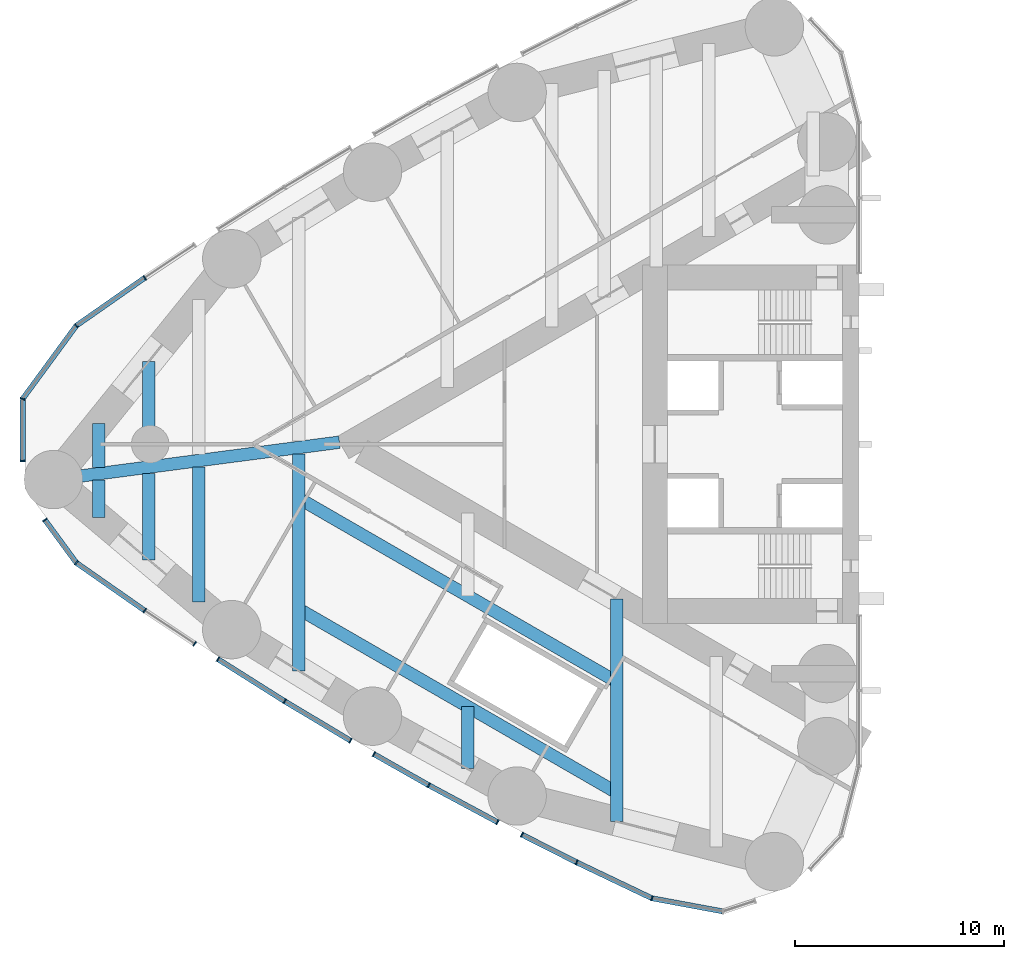
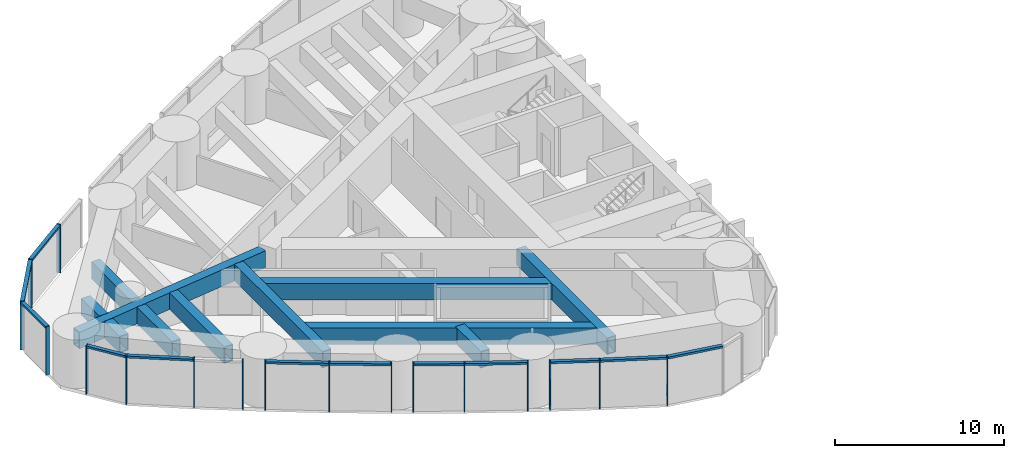
# One storey, part 2 of 17: 29 members, 11 beams, 5 elements without a shape of their own.
"""IFC4 building model written with IfcOpenShell, lengths in metres."""

from ifc_helpers import new_model, si_unit, direction, frame, origin, origin_2d, place, context, subcontext, project, spatial, rectangle, hollow_rectangle, extrude, material, material_profile, profile_set, type_object, element, aggregate, save


model = new_model("IFC4")

# Units and contexts
model_context = context("Model", 3, precision=1e-05, world=origin(), true_north=direction((0.0, 1.0)))
body_context = subcontext(model_context, "Body", "Model", "MODEL_VIEW")
ifc_project = project(units=[si_unit("LENGTHUNIT", "METRE"), si_unit("AREAUNIT", "SQUARE_METRE"), si_unit("VOLUMEUNIT", "CUBIC_METRE"), si_unit("PLANEANGLEUNIT", "RADIAN"), si_unit("MASSUNIT", "GRAM", prefix="KILO")], contexts=[model_context])

# Site, building, storey
site_placement = place(None, origin())
site = spatial("IfcSite", under=ifc_project, at=site_placement, CompositionType="ELEMENT")
building_placement = place(site_placement, origin())
building = spatial("IfcBuilding", under=site, at=building_placement, Name="Lancet Gate Hotel", CompositionType="ELEMENT")
storey_placement = place(building_placement, frame((0.0, 0.0, 201.800048828125)))
storey = spatial("IfcBuildingStorey", under=building, at=storey_placement, Name="L54", CompositionType="ELEMENT", Elevation=201.800048828125)

# Curtain wall, members
ifc_material_1 = material(Name="Aluminium curtain wall", Category="aluminium")
curtain_wall_type = type_object("IfcCurtainWallType", Name="Tower unitised curtain wall", PredefinedType="USERDEFINED", material=ifc_material_1)
curtain_wall_1_placement = place(storey_placement, origin())
curtain_wall_1 = element("IfcCurtainWall", 1, at=curtain_wall_1_placement, inside=storey, type_object=curtain_wall_type, Name="T1 L54 curtain wall 5", ObjectType="UNITISED CURTAIN WALL", PredefinedType="USERDEFINED")
ifc_material_2 = material(Name="Aluminium mullion", Category="aluminium")
ifc_material_profile_1 = material_profile(ifc_material_2, rectangle(XDim=0.06494140625, YDim=0.25, at=origin_2d()), Name="MULLION 65x250")
ifc_profile_set_1 = profile_set([ifc_material_profile_1], Name="Aluminium mullion")
member_type_1 = type_object("IfcMemberType", Name="Aluminium mullion 65x250", PredefinedType="MULLION", material=ifc_profile_set_1)
member_1_placement = place(storey_placement, frame((-61.7626953125, 7.980712890625, 0.0), z_axis=(0.0, 0.0, 1.0), x_axis=(-0.825232844687, -0.564792662886, 0.0)))
member_1 = element("IfcMember", 2, at=member_1_placement, type_object=member_type_1, Name="T1 L54 curtain wall 5 mullion 2", PredefinedType="MULLION", context=body_context, shape_type="SweptSolid", body=[
    extrude(rectangle(XDim=0.06494140625, YDim=0.25, at=origin_2d()), origin(), (0.0, 0.0, 1.0), 3.5),
])
member_2_placement = place(storey_placement, frame((-65.040283203125, 5.68994140625, 0.0), z_axis=(0.0, 0.0, 1.0), x_axis=(-0.710112861968, -0.704087866155, 0.0)))
member_2 = element("IfcMember", 3, at=member_2_placement, type_object=member_type_1, Name="T1 L54 curtain wall 5 mullion 3", PredefinedType="MULLION", context=body_context, shape_type="SweptSolid", body=[
    extrude(rectangle(XDim=0.06494140625, YDim=0.25, at=origin_2d()), origin(), (0.0, 0.0, 1.0), 3.5),
])
member_3_placement = place(storey_placement, frame((-67.61572265625, 2.177490234375, 0.0), z_axis=(0.0, 0.0, 1.0), x_axis=(-0.368579794629, -0.929596113907, 0.0)))
member_3 = element("IfcMember", 4, at=member_3_placement, type_object=member_type_1, Name="T1 L54 curtain wall 5 mullion 4", PredefinedType="MULLION", context=body_context, shape_type="SweptSolid", body=[
    extrude(rectangle(XDim=0.06494140625, YDim=0.25, at=origin_2d()), origin(), (0.0, 0.0, 1.0), 3.5),
])
member_4_placement = place(storey_placement, frame((-67.61572265625, -0.80517578125, 0.0), z_axis=(0.0, 0.0, 1.0), x_axis=(0.0, -1.0, 0.0)))
member_4 = element("IfcMember", 5, at=member_4_placement, type_object=member_type_1, Name="T1 L54 curtain wall 5 mullion 5", PredefinedType="MULLION", context=body_context, shape_type="SweptSolid", body=[
    extrude(rectangle(XDim=0.06494140625, YDim=0.25, at=origin_2d()), origin(), (0.0, 0.0, 1.0), 3.5),
])

curtain_wall_2_placement = place(storey_placement, origin())
curtain_wall_2 = element("IfcCurtainWall", 6, at=curtain_wall_2_placement, inside=storey, type_object=curtain_wall_type, Name="T1 L54 curtain wall 6", ObjectType="UNITISED CURTAIN WALL", PredefinedType="USERDEFINED")
member_5_placement = place(storey_placement, frame((-66.551025390625, -3.629638671875, 0.0), z_axis=(0.0, 0.0, 1.0), x_axis=(0.591299785592, -0.806451835858, 0.0)))
member_5 = element("IfcMember", 7, at=member_5_placement, type_object=member_type_1, Name="T1 L54 curtain wall 6 mullion 1", PredefinedType="MULLION", context=body_context, shape_type="SweptSolid", body=[
    extrude(rectangle(XDim=0.06494140625, YDim=0.25, at=origin_2d()), origin(), (0.0, 0.0, 1.0), 3.5),
])
member_6_placement = place(storey_placement, frame((-65.040283203125, -5.68994140625, 0.0), z_axis=(0.0, 0.0, 1.0), x_axis=(0.740077220018, -0.672521901807, 0.0)))
member_6 = element("IfcMember", 8, at=member_6_placement, type_object=member_type_1, Name="T1 L54 curtain wall 6 mullion 2", PredefinedType="MULLION", context=body_context, shape_type="SweptSolid", body=[
    extrude(rectangle(XDim=0.06494140625, YDim=0.25, at=origin_2d()), origin(), (0.0, 0.0, 1.0), 3.5),
])
member_7_placement = place(storey_placement, frame((-61.7626953125, -7.980712890625, 0.0), z_axis=(0.0, 0.0, 1.0), x_axis=(0.825232844687, -0.564792662886, 0.0)))
member_7 = element("IfcMember", 9, at=member_7_placement, type_object=member_type_1, Name="T1 L54 curtain wall 6 mullion 3", PredefinedType="MULLION", context=body_context, shape_type="SweptSolid", body=[
    extrude(rectangle(XDim=0.06494140625, YDim=0.25, at=origin_2d()), origin(), (0.0, 0.0, 1.0), 3.5),
])
member_8_placement = place(storey_placement, frame((-59.3642578125, -9.57470703125, 0.0), z_axis=(0.0, 0.0, 1.0), x_axis=(0.832879255498, -0.553454736867, 0.0)))
member_8 = element("IfcMember", 10, at=member_8_placement, type_object=member_type_1, Name="T1 L54 curtain wall 6 mullion 4", PredefinedType="MULLION", context=body_context, shape_type="SweptSolid", body=[
    extrude(rectangle(XDim=0.06494140625, YDim=0.25, at=origin_2d()), origin(), (0.0, 0.0, 1.0), 3.5),
])

curtain_wall_3_placement = place(storey_placement, origin())
curtain_wall_3 = element("IfcCurtainWall", 11, at=curtain_wall_3_placement, inside=storey, type_object=curtain_wall_type, Name="T1 L54 curtain wall 7", ObjectType="UNITISED CURTAIN WALL", PredefinedType="USERDEFINED")
member_9_placement = place(storey_placement, frame((-58.25048828125, -10.30859375, 0.0), z_axis=(0.0, 0.0, 1.0), x_axis=(0.845666871497, -0.533711103925, 0.0)))
member_9 = element("IfcMember", 12, at=member_9_placement, type_object=member_type_1, Name="T1 L54 curtain wall 7 mullion 1", PredefinedType="MULLION", context=body_context, shape_type="SweptSolid", body=[
    extrude(rectangle(XDim=0.06494140625, YDim=0.25, at=origin_2d()), origin(), (0.0, 0.0, 1.0), 3.5),
])
member_10_placement = place(storey_placement, frame((-55.05029296875, -12.328369140625, 0.0), z_axis=(0.0, 0.0, 1.0), x_axis=(0.851797072513, -0.523871880576, 0.0)))
member_10 = element("IfcMember", 13, at=member_10_placement, type_object=member_type_1, Name="T1 L54 curtain wall 7 mullion 2", PredefinedType="MULLION", context=body_context, shape_type="SweptSolid", body=[
    extrude(rectangle(XDim=0.06494140625, YDim=0.25, at=origin_2d()), origin(), (0.0, 0.0, 1.0), 3.5),
])
member_11_placement = place(storey_placement, frame((-51.895751953125, -14.217041015625, 0.0), z_axis=(0.0, 0.0, 1.0), x_axis=(0.857986551132, -0.51367215038, 0.0)))
member_11 = element("IfcMember", 14, at=member_11_placement, type_object=member_type_1, Name="T1 L54 curtain wall 7 mullion 3", PredefinedType="MULLION", context=body_context, shape_type="SweptSolid", body=[
    extrude(rectangle(XDim=0.06494140625, YDim=0.25, at=origin_2d()), origin(), (0.0, 0.0, 1.0), 3.5),
])

curtain_wall_4_placement = place(storey_placement, origin())
curtain_wall_4 = element("IfcCurtainWall", 15, at=curtain_wall_4_placement, inside=storey, type_object=curtain_wall_type, Name="T1 L54 curtain wall 8", ObjectType="UNITISED CURTAIN WALL", PredefinedType="USERDEFINED")
member_12_placement = place(storey_placement, frame((-50.7734375, -14.8623046875, 0.0), z_axis=(0.0, 0.0, 1.0), x_axis=(0.869831477496, -0.493348964484, 0.0)))
member_12 = element("IfcMember", 16, at=member_12_placement, type_object=member_type_1, Name="T1 L54 curtain wall 8 mullion 1", PredefinedType="MULLION", context=body_context, shape_type="SweptSolid", body=[
    extrude(rectangle(XDim=0.06494140625, YDim=0.25, at=origin_2d()), origin(), (0.0, 0.0, 1.0), 3.5),
])
member_13_placement = place(storey_placement, frame((-48.140869140625, -16.355224609375, 0.0), z_axis=(0.0, 0.0, 1.0), x_axis=(0.876172978452, -0.481996796494, 0.0)))
member_13 = element("IfcMember", 17, at=member_13_placement, type_object=member_type_1, Name="T1 L54 curtain wall 8 mullion 2", PredefinedType="MULLION", context=body_context, shape_type="SweptSolid", body=[
    extrude(rectangle(XDim=0.06494140625, YDim=0.25, at=origin_2d()), origin(), (0.0, 0.0, 1.0), 3.5),
])
member_14_placement = place(storey_placement, frame((-44.8447265625, -18.123779296875, 0.0), z_axis=(0.0, 0.0, 1.0), x_axis=(0.881195096384, -0.472752791751, 0.0)))
member_14 = element("IfcMember", 18, at=member_14_placement, type_object=member_type_1, Name="T1 L54 curtain wall 8 mullion 3", PredefinedType="MULLION", context=body_context, shape_type="SweptSolid", body=[
    extrude(rectangle(XDim=0.06494140625, YDim=0.25, at=origin_2d()), origin(), (0.0, 0.0, 1.0), 3.5),
])

curtain_wall_5_placement = place(storey_placement, origin())
curtain_wall_5 = element("IfcCurtainWall", 19, at=curtain_wall_5_placement, inside=storey, type_object=curtain_wall_type, Name="T1 L54 curtain wall 9", ObjectType="UNITISED CURTAIN WALL", PredefinedType="USERDEFINED")
member_15_placement = place(storey_placement, frame((-43.6728515625, -18.72412109375, 0.0), z_axis=(0.0, 0.0, 1.0), x_axis=(0.892071119911, -0.451895028762, 0.0)))
member_15 = element("IfcMember", 20, at=member_15_placement, type_object=member_type_1, Name="T1 L54 curtain wall 9 mullion 1", PredefinedType="MULLION", context=body_context, shape_type="SweptSolid", body=[
    extrude(rectangle(XDim=0.06494140625, YDim=0.25, at=origin_2d()), origin(), (0.0, 0.0, 1.0), 3.5),
])
member_16_placement = place(storey_placement, frame((-41.0498046875, -20.052978515625, 0.0), z_axis=(0.0, 0.0, 1.0), x_axis=(0.898114902915, -0.439760868156, 0.0)))
member_16 = element("IfcMember", 21, at=member_16_placement, type_object=member_type_1, Name="T1 L54 curtain wall 9 mullion 2", PredefinedType="MULLION", context=body_context, shape_type="SweptSolid", body=[
    extrude(rectangle(XDim=0.06494140625, YDim=0.25, at=origin_2d()), origin(), (0.0, 0.0, 1.0), 3.5),
])
member_17_placement = place(storey_placement, frame((-37.44091796875, -21.775634765625, 0.0), z_axis=(0.0, 0.0, 1.0), x_axis=(0.948119321052, -0.317914694609, 0.0)))
member_17 = element("IfcMember", 22, at=member_17_placement, type_object=member_type_1, Name="T1 L54 curtain wall 9 mullion 3", PredefinedType="MULLION", context=body_context, shape_type="SweptSolid", body=[
    extrude(rectangle(XDim=0.06494140625, YDim=0.25, at=origin_2d()), origin(), (0.0, 0.0, 1.0), 3.5),
])

# Member
ifc_material_3 = material(Name="Aluminium transom", Category="aluminium")
ifc_material_profile_2 = material_profile(ifc_material_3, rectangle(XDim=0.25, YDim=0.14990234375, at=origin_2d()), Name="TRANSOM 250x150")
ifc_profile_set_2 = profile_set([ifc_material_profile_2], Name="Aluminium transom")
member_type_2 = type_object("IfcMemberType", Name="Aluminium transom 250x150", PredefinedType="USERDEFINED", material=ifc_profile_set_2)
member_18_placement = place(storey_placement, frame((-61.789306640625, 7.962158203125, 3.425048828125), z_axis=(-0.819636985462, -0.572883244704, 0.0), x_axis=(0.572883244704, -0.819636985462, 0.0)))
member_18 = element("IfcMember", 23, at=member_18_placement, type_object=member_type_2, Name="T1 L54 curtain wall 5 transom 2", ObjectType="TRANSOM", PredefinedType="USERDEFINED", context=body_context, shape_type="SweptSolid", body=[
    extrude(rectangle(XDim=0.25, YDim=0.14990234375, at=origin_2d()), origin(), (0.0, 0.0, 1.0), 3.933837890625),
])

member_19_placement = place(storey_placement, frame((-65.0595703125, 5.66357421875, 3.425048828125), z_axis=(-0.591324189618, -0.806433941977, 0.0), x_axis=(0.806433941977, -0.591324189618, 0.0)))
member_19 = element("IfcMember", 24, at=member_19_placement, type_object=member_type_2, Name="T1 L54 curtain wall 5 transom 3", ObjectType="TRANSOM", PredefinedType="USERDEFINED", context=body_context, shape_type="SweptSolid", body=[
    extrude(rectangle(XDim=0.25, YDim=0.14990234375, at=origin_2d()), origin(), (0.0, 0.0, 1.0), 4.2900390625),
])

member_20_placement = place(storey_placement, frame((-67.61572265625, 2.14501953125, 3.425048828125), z_axis=(0.0, -1.0, 0.0), x_axis=(1.0, 0.0, 0.0)))
member_20 = element("IfcMember", 25, at=member_20_placement, type_object=member_type_2, Name="T1 L54 curtain wall 5 transom 4", ObjectType="TRANSOM", PredefinedType="USERDEFINED", context=body_context, shape_type="SweptSolid", body=[
    extrude(rectangle(XDim=0.25, YDim=0.14990234375, at=origin_2d()), origin(), (0.0, 0.0, 1.0), 2.917724609375),
])

aggregate(curtain_wall_1, [member_1, member_2, member_3, member_4, member_18, member_19, member_20])

member_21_placement = place(storey_placement, frame((-66.53173828125, -3.656005859375, 3.425048828125), z_axis=(0.591350909026, -0.806414349075, 0.0), x_axis=(0.806414349075, 0.591350909026, 0.0)))
member_21 = element("IfcMember", 26, at=member_21_placement, type_object=member_type_2, Name="T1 L54 curtain wall 6 transom 1", ObjectType="TRANSOM", PredefinedType="USERDEFINED", context=body_context, shape_type="SweptSolid", body=[
    extrude(rectangle(XDim=0.25, YDim=0.14990234375, at=origin_2d()), origin(), (0.0, 0.0, 1.0), 2.489501953125),
])

member_22_placement = place(storey_placement, frame((-65.013671875, -5.70849609375, 3.425048828125), z_axis=(0.819636985462, -0.572883244704, 0.0), x_axis=(0.572883244704, 0.819636985462, 0.0)))
member_22 = element("IfcMember", 27, at=member_22_placement, type_object=member_type_2, Name="T1 L54 curtain wall 6 transom 2", ObjectType="TRANSOM", PredefinedType="USERDEFINED", context=body_context, shape_type="SweptSolid", body=[
    extrude(rectangle(XDim=0.25, YDim=0.14990234375, at=origin_2d()), origin(), (0.0, 0.0, 1.0), 3.933837890625),
])

aggregate(curtain_wall_2, [member_5, member_6, member_7, member_8, member_21, member_22])

member_23_placement = place(storey_placement, frame((-58.22314453125, -10.325927734375, 3.425048828125), z_axis=(0.845655759396, -0.533728710677, 0.0), x_axis=(0.533728710677, 0.845655759396, 0.0)))
member_23 = element("IfcMember", 28, at=member_23_placement, type_object=member_type_2, Name="T1 L54 curtain wall 7 transom 1", ObjectType="TRANSOM", PredefinedType="USERDEFINED", context=body_context, shape_type="SweptSolid", body=[
    extrude(rectangle(XDim=0.25, YDim=0.14990234375, at=origin_2d()), origin(), (0.0, 0.0, 1.0), 3.71923828125),
])

member_24_placement = place(storey_placement, frame((-55.0224609375, -12.344970703125, 3.425048828125), z_axis=(0.857963732288, -0.513710262774, 0.0), x_axis=(0.513710262774, 0.857963732288, 0.0)))
member_24 = element("IfcMember", 29, at=member_24_placement, type_object=member_type_2, Name="T1 L54 curtain wall 7 transom 2", ObjectType="TRANSOM", PredefinedType="USERDEFINED", context=body_context, shape_type="SweptSolid", body=[
    extrude(rectangle(XDim=0.25, YDim=0.14990234375, at=origin_2d()), origin(), (0.0, 0.0, 1.0), 3.61181640625),
])

aggregate(curtain_wall_3, [member_9, member_10, member_11, member_23, member_24])

member_25_placement = place(storey_placement, frame((-50.7451171875, -14.878173828125, 3.425048828125), z_axis=(0.869806404076, -0.493393169216, 0.0), x_axis=(0.493393169216, 0.869806404076, 0.0)))
member_25 = element("IfcMember", 30, at=member_25_placement, type_object=member_type_2, Name="T1 L54 curtain wall 8 transom 1", ObjectType="TRANSOM", PredefinedType="USERDEFINED", context=body_context, shape_type="SweptSolid", body=[
    extrude(rectangle(XDim=0.25, YDim=0.14990234375, at=origin_2d()), origin(), (0.0, 0.0, 1.0), 2.96142578125),
])

member_26_placement = place(storey_placement, frame((-48.1123046875, -16.37060546875, 3.425048828125), z_axis=(0.881184564391, -0.472772422502, 0.0), x_axis=(0.472772422502, 0.881184564391, 0.0)))
member_26 = element("IfcMember", 31, at=member_26_placement, type_object=member_type_2, Name="T1 L54 curtain wall 8 transom 2", ObjectType="TRANSOM", PredefinedType="USERDEFINED", context=body_context, shape_type="SweptSolid", body=[
    extrude(rectangle(XDim=0.25, YDim=0.14990234375, at=origin_2d()), origin(), (0.0, 0.0, 1.0), 3.67578125),
])

aggregate(curtain_wall_4, [member_12, member_13, member_14, member_25, member_26])

member_27_placement = place(storey_placement, frame((-43.643798828125, -18.73876953125, 3.425048828125), z_axis=(0.892071375921, -0.451894523382, 0.0), x_axis=(0.451894523382, 0.892071375921, 0.0)))
member_27 = element("IfcMember", 32, at=member_27_placement, type_object=member_type_2, Name="T1 L54 curtain wall 9 transom 1", ObjectType="TRANSOM", PredefinedType="USERDEFINED", context=body_context, shape_type="SweptSolid", body=[
    extrude(rectangle(XDim=0.25, YDim=0.14990234375, at=origin_2d()), origin(), (0.0, 0.0, 1.0), 2.875244140625),
])

member_28_placement = place(storey_placement, frame((-41.0205078125, -20.06689453125, 3.425048828125), z_axis=(0.902468975385, -0.430754858902, 0.0), x_axis=(0.430754858902, 0.902468975385, 0.0)))
member_28 = element("IfcMember", 33, at=member_28_placement, type_object=member_type_2, Name="T1 L54 curtain wall 9 transom 2", ObjectType="TRANSOM", PredefinedType="USERDEFINED", context=body_context, shape_type="SweptSolid", body=[
    extrude(rectangle(XDim=0.25, YDim=0.14990234375, at=origin_2d()), origin(), (0.0, 0.0, 1.0), 3.93408203125),
])

member_29_placement = place(storey_placement, frame((-37.408935546875, -21.781494140625, 3.425048828125), z_axis=(0.983286757871, -0.182063592724, 0.0), x_axis=(0.182063592724, 0.983286757871, 0.0)))
member_29 = element("IfcMember", 34, at=member_29_placement, type_object=member_type_2, Name="T1 L54 curtain wall 9 transom 3", ObjectType="TRANSOM", PredefinedType="USERDEFINED", context=body_context, shape_type="SweptSolid", body=[
    extrude(rectangle(XDim=0.25, YDim=0.14990234375, at=origin_2d()), origin(), (0.0, 0.0, 1.0), 3.406005859375),
])

aggregate(curtain_wall_5, [member_15, member_16, member_17, member_27, member_28, member_29])

# Beams
ifc_material_4 = material(Name="Steel S460QL", Category="steel")
ifc_material_profile_3 = material_profile(ifc_material_4, hollow_rectangle(XDim=0.60009765625, YDim=1.199951171875, WallThickness=0.050048828125, at=origin_2d()), Name="BOX 1200x600x50")
ifc_profile_set_3 = profile_set([ifc_material_profile_3], Name="Steel S460QL")
beam_type_1 = type_object("IfcBeamType", Name="Refuge floor beam BOX 1200x600x50", PredefinedType="BEAM", material=ifc_profile_set_3)
beam_1_placement = place(storey_placement, frame((-39.122314453125, -7.41650390625, 2.64990234375), z_axis=(0.0, -1.0, 0.0), x_axis=(1.0, 0.0, 0.0)))
element("IfcBeam", 35, at=beam_1_placement, inside=storey, type_object=beam_type_1, Name="T1 floor beam F05N L54", PredefinedType="BEAM", context=body_context, shape_type="SweptSolid", body=[
    extrude(hollow_rectangle(XDim=0.60009765625, YDim=1.199951171875, WallThickness=0.050048828125, at=origin_2d()), origin(), (0.0, 0.0, 1.0), 10.6728515625),
])
beam_2_placement = place(storey_placement, frame((-54.3681640625, -0.45947265625, 2.64990234375), z_axis=(0.0, -1.0, 0.0), x_axis=(1.0, 0.0, 0.0)))
element("IfcBeam", 36, at=beam_2_placement, inside=storey, type_object=beam_type_1, Name="T1 floor beam F11N L54", PredefinedType="BEAM", context=body_context, shape_type="SweptSolid", body=[
    extrude(hollow_rectangle(XDim=0.60009765625, YDim=1.199951171875, WallThickness=0.050048828125, at=origin_2d()), origin(), (0.0, 0.0, 1.0), 10.4140625),
])
beam_3_placement = place(storey_placement, frame((-59.168212890625, -1.086669921875, 2.64990234375), z_axis=(0.0, -1.0, 0.0), x_axis=(1.0, 0.0, 0.0)))
element("IfcBeam", 37, at=beam_3_placement, inside=storey, type_object=beam_type_1, Name="T1 floor beam F13N L54", PredefinedType="BEAM", context=body_context, shape_type="SweptSolid", body=[
    extrude(hollow_rectangle(XDim=0.60009765625, YDim=1.199951171875, WallThickness=0.050048828125, at=origin_2d()), origin(), (0.0, 0.0, 1.0), 6.477783203125),
])
beam_4_placement = place(storey_placement, frame((-61.568359375, 3.967529296875, 2.64990234375), z_axis=(0.0, -1.0, 0.0), x_axis=(1.0, 0.0, 0.0)))
element("IfcBeam", 38, at=beam_4_placement, inside=storey, type_object=beam_type_1, Name="T1 floor beam F14S L54", PredefinedType="BEAM", context=body_context, shape_type="SweptSolid", body=[
    extrude(hollow_rectangle(XDim=0.60009765625, YDim=1.199951171875, WallThickness=0.050048828125, at=origin_2d()), origin(), (0.0, 0.0, 1.0), 4.7626953125),
])
beam_5_placement = place(storey_placement, frame((-61.568359375, -1.400146484375, 2.64990234375), z_axis=(0.0, -1.0, 0.0), x_axis=(1.0, 0.0, 0.0)))
element("IfcBeam", 39, at=beam_5_placement, inside=storey, type_object=beam_type_1, Name="T1 floor beam F15N L54", PredefinedType="BEAM", context=body_context, shape_type="SweptSolid", body=[
    extrude(hollow_rectangle(XDim=0.60009765625, YDim=1.199951171875, WallThickness=0.050048828125, at=origin_2d()), origin(), (0.0, 0.0, 1.0), 4.144775390625),
])
beam_6_placement = place(storey_placement, frame((-63.96826171875, 0.996337890625, 2.64990234375), z_axis=(0.0, -1.0, 0.0), x_axis=(1.0, 0.0, 0.0)))
element("IfcBeam", 40, at=beam_6_placement, inside=storey, type_object=beam_type_1, Name="T1 floor beam F16N L54", PredefinedType="BEAM", context=body_context, shape_type="SweptSolid", body=[
    extrude(hollow_rectangle(XDim=0.60009765625, YDim=1.199951171875, WallThickness=0.050048828125, at=origin_2d()), origin(), (0.0, 0.0, 1.0), 2.10498046875),
])
beam_7_placement = place(storey_placement, frame((-63.96826171875, -1.7138671875, 2.64990234375), z_axis=(0.0, -1.0, 0.0), x_axis=(1.0, 0.0, 0.0)))
element("IfcBeam", 41, at=beam_7_placement, inside=storey, type_object=beam_type_1, Name="T1 floor beam F17N L54", PredefinedType="BEAM", context=body_context, shape_type="SweptSolid", body=[
    extrude(hollow_rectangle(XDim=0.60009765625, YDim=1.199951171875, WallThickness=0.050048828125, at=origin_2d()), origin(), (0.0, 0.0, 1.0), 1.811279296875),
])
beam_8_placement = place(storey_placement, frame((-46.27587890625, -12.58154296875, 2.64990234375), z_axis=(0.0, -1.0, 0.0), x_axis=(1.0, 0.0, 0.0)))
element("IfcBeam", 42, at=beam_8_placement, inside=storey, type_object=beam_type_1, Name="T1 floor beam F08NB L54", PredefinedType="BEAM", context=body_context, shape_type="SweptSolid", body=[
    extrude(hollow_rectangle(XDim=0.60009765625, YDim=1.199951171875, WallThickness=0.050048828125, at=origin_2d()), origin(), (0.0, 0.0, 1.0), 2.979248046875),
])
ifc_material_5 = material(Name="Steel S460QL", Category="steel")
ifc_material_profile_4 = material_profile(ifc_material_5, hollow_rectangle(XDim=0.60009765625, YDim=1.199951171875, WallThickness=0.06005859375, at=origin_2d()), Name="BOX 1200x600x60")
ifc_profile_set_4 = profile_set([ifc_material_profile_4], Name="Steel S460QL")
beam_type_2 = type_object("IfcBeamType", Name="Refuge floor beam BOX 1200x600x60", PredefinedType="BEAM", material=ifc_profile_set_4)
beam_9_placement = place(storey_placement, frame((-66.142578125, -1.6953125, 2.64990234375), z_axis=(0.991571259053, 0.129562487702, 0.0), x_axis=(-0.129562487702, 0.991571259053, 0.0)))
element("IfcBeam", 43, at=beam_9_placement, inside=storey, type_object=beam_type_2, Name="T1 radial beam CA L54", PredefinedType="BEAM", context=body_context, shape_type="SweptSolid", body=[
    extrude(hollow_rectangle(XDim=0.60009765625, YDim=1.199951171875, WallThickness=0.06005859375, at=origin_2d()), origin(), (0.0, 0.0, 1.0), 13.8349609375),
])
ifc_material_6 = material(Name="Steel S460QL", Category="steel")
ifc_material_profile_5 = material_profile(ifc_material_6, hollow_rectangle(XDim=0.60009765625, YDim=1.199951171875, WallThickness=0.050048828125, at=origin_2d()), Name="BOX 1200x600x50")
ifc_profile_set_5 = profile_set([ifc_material_profile_5], Name="Steel S460QL")
beam_type_3 = type_object("IfcBeamType", Name="Trimmer beam BOX 1200x600x50", PredefinedType="BEAM", material=ifc_profile_set_5)
for number, where, z_axis, x_axis, name in (
    (44, (-39.122314453125, -11.400146484375, 2.64990234375), (-0.866036166405, 0.499981358131, 0.0), (-0.499981358131, -0.866036166405, 0.0), "T1 trimmer beam TR01N L54"),
    (45, (-39.122314453125, -16.71142578125, 2.64990234375), (-0.866036166405, 0.499981358131, 0.0), (-0.499981358131, -0.866036166405, 0.0), "T1 trimmer beam TR02N L54"),
):
    element("IfcBeam", number, at=place(storey_placement, frame(where, z_axis=z_axis, x_axis=x_axis)), inside=storey, type_object=beam_type_3, Name=name, PredefinedType="BEAM", context=body_context, shape_type="SweptSolid", body=[
        extrude(hollow_rectangle(XDim=0.60009765625, YDim=1.199951171875, WallThickness=0.050048828125, at=origin_2d()), origin(), (0.0, 0.0, 1.0), 17.604248046875),
    ])

save(model, "model.ifc")
